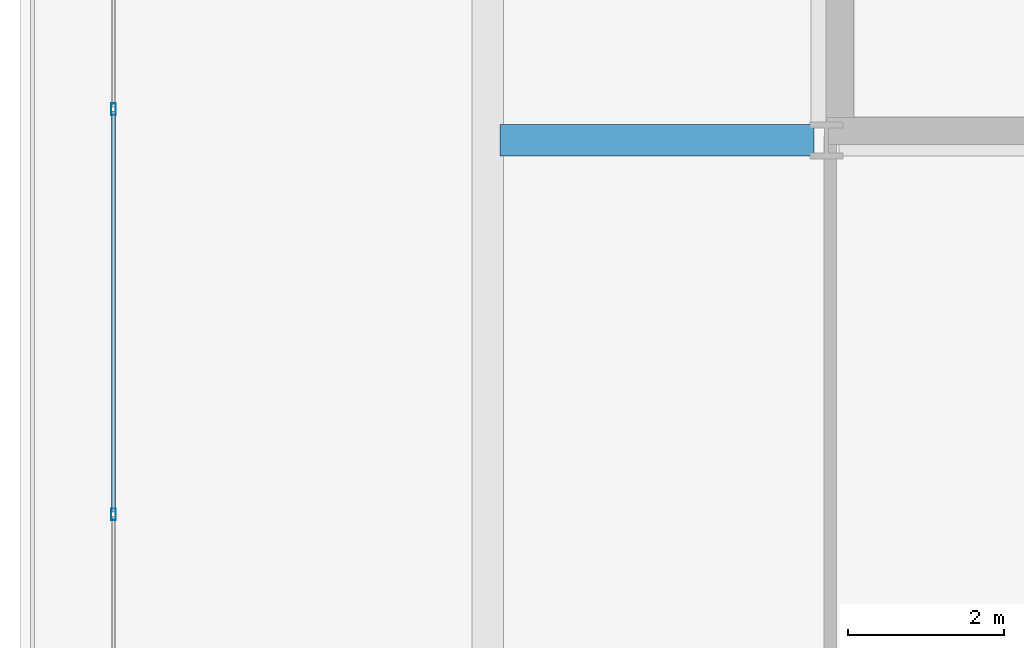
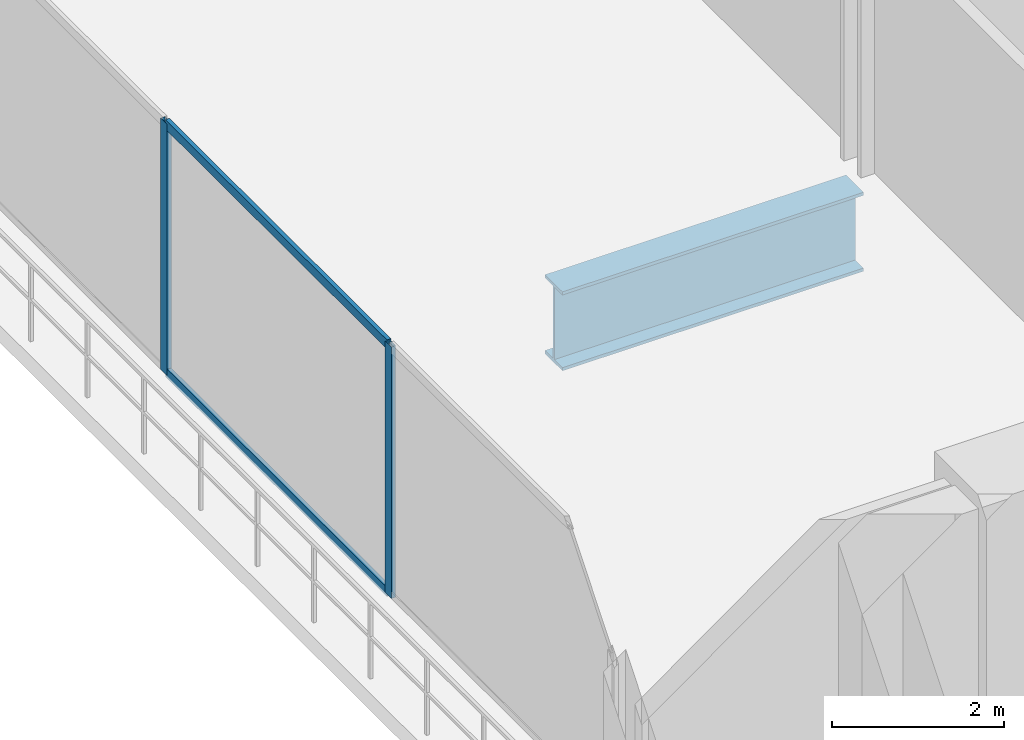
# One storey, part 8 of 26: 4 members, 1 beam, 1 element without a shape of its own.
"""IFC4 building model written with IfcOpenShell, lengths in metres."""

from ifc_helpers import new_model, si_unit, direction, frame, origin, origin_2d, place, context, subcontext, project, spatial, hollow_rectangle, i_section, extrude, material, layer, layer_set, material_profile, profile_set, type_object, element, aggregate, save


model = new_model("IFC4")

# Units and contexts
model_context = context("Model", 3, precision=1e-05, world=origin(), true_north=direction((0.0, 1.0)))
body_context = subcontext(model_context, "Body", "Model", "MODEL_VIEW")
ifc_project = project(units=[si_unit("LENGTHUNIT", "METRE"), si_unit("AREAUNIT", "SQUARE_METRE"), si_unit("VOLUMEUNIT", "CUBIC_METRE"), si_unit("PLANEANGLEUNIT", "RADIAN"), si_unit("MASSUNIT", "GRAM", prefix="KILO")], contexts=[model_context])

# Site, building, storey
site_placement = place(None, origin())
site = spatial("IfcSite", under=ifc_project, at=site_placement, CompositionType="ELEMENT")
building_placement = place(site_placement, origin())
building = spatial("IfcBuilding", under=site, at=building_placement, Name="Zuhayl Quay Hotel", CompositionType="ELEMENT")
storey_placement = place(building_placement, frame((0.0, 0.0, 301.050048828125)))
storey = spatial("IfcBuildingStorey", under=building, at=storey_placement, Name="Crown 2", CompositionType="ELEMENT", Elevation=301.050048828125)

# Beam
ifc_material_1 = material(Name="Steel ASTM A913 Grade 65", Category="steel")
ifc_material_profile_1 = material_profile(ifc_material_1, i_section(OverallWidth=0.404052734375, OverallDepth=1.117919921875, WebThickness=0.026123046875, FlangeThickness=0.044921875, at=origin_2d()), Name="W44X335")
ifc_profile_set_1 = profile_set([ifc_material_profile_1], Name="Steel ASTM A913 Grade 65")
beam_type = type_object("IfcBeamType", Name="BM_TG1_W44X335", PredefinedType="BEAM", material=ifc_profile_set_1)
beam_placement = place(storey_placement, frame((-13.639892578125, 25.10009765625, -0.799072265625), z_axis=(1.0, 0.0, 0.0), x_axis=(0.0, 1.0, 0.0)))
element("IfcBeam", 1, at=beam_placement, inside=storey, type_object=beam_type, Name="Crown 2 Floor Beam CR_EW_2_1_1", PredefinedType="BEAM", context=body_context, shape_type="SweptSolid", body=[
    extrude(i_section(OverallWidth=0.404052734375, OverallDepth=1.117919921875, WebThickness=0.026123046875, FlangeThickness=0.044921875, at=origin_2d()), origin(), (0.0, 0.0, 1.0), 4.02978515625),
])

# Curtain wall, members
ifc_material_2 = material(Name="Anodised Aluminium 6063-T6", Category="aluminium")
ifc_layer = layer(ifc_material_2, 0.159912109375, Name="Anodised Aluminium 6063-T6", Category="aluminium")
ifc_layer_set = layer_set([ifc_layer], Name="Anodised Aluminium 6063-T6")
curtain_wall_type = type_object("IfcCurtainWallType", Name="CW_SYS_CRN", PredefinedType="USERDEFINED", material=ifc_layer_set)
curtain_wall_placement = place(storey_placement, origin())
curtain_wall = element("IfcCurtainWall", 2, at=curtain_wall_placement, inside=storey, type_object=curtain_wall_type, Name="Crown 2 Curtain Wall ENV_CR2_E1_CW2", ObjectType="UNITISED CURTAIN WALL", PredefinedType="USERDEFINED")
ifc_material_3 = material(Name="Black-anodised aluminium 6063-T6", Category="aluminium")
ifc_material_profile_2 = material_profile(ifc_material_3, hollow_rectangle(XDim=0.06005859375, YDim=0.14990234375, WallThickness=0.00341796875, at=origin_2d()), Name="ALU150X60")
ifc_profile_set_2 = profile_set([ifc_material_profile_2], Name="Black-anodised aluminium 6063-T6")
member_type_1 = type_object("IfcMemberType", Name="MB_CW_MUL_150", PredefinedType="MULLION", material=ifc_profile_set_2)
member_1_placement = place(storey_placement, frame((-18.60009765625, 20.300048828125, 0.0), z_axis=(0.0, 0.0, 1.0), x_axis=(-1.0, 0.0, 0.0)))
member_1 = element("IfcMember", 3, at=member_1_placement, type_object=member_type_1, Name="CW-CRN mullion 2", PredefinedType="MULLION", context=body_context, shape_type="SweptSolid", body=[
    extrude(hollow_rectangle(XDim=0.06005859375, YDim=0.14990234375, WallThickness=0.00341796875, at=origin_2d()), origin(), (0.0, 0.0, 1.0), 3.56005859375),
])
member_2_placement = place(storey_placement, frame((-18.60009765625, 25.5, 0.0), z_axis=(0.0, 0.0, 1.0), x_axis=(-1.0, 0.0, 0.0)))
member_2 = element("IfcMember", 4, at=member_2_placement, type_object=member_type_1, Name="CW-CRN mullion 3", PredefinedType="MULLION", context=body_context, shape_type="SweptSolid", body=[
    extrude(hollow_rectangle(XDim=0.06005859375, YDim=0.14990234375, WallThickness=0.00341796875, at=origin_2d()), origin(), (0.0, 0.0, 1.0), 3.56005859375),
])
ifc_material_profile_3 = material_profile(ifc_material_3, hollow_rectangle(XDim=0.054931640625, YDim=0.1298828125, WallThickness=0.0029296875, at=origin_2d()), Name="ALU130X55")
ifc_profile_set_3 = profile_set([ifc_material_profile_3], Name="Black-anodised aluminium 6063-T6")
member_type_2 = type_object("IfcMemberType", Name="MB_CW_TRN_130", PredefinedType="USERDEFINED", material=ifc_profile_set_3)
member_3_placement = place(storey_placement, frame((-18.60009765625, 20.330078125, 0.02734375), z_axis=(0.0, 1.0, 0.0), x_axis=(-1.0, 0.0, 0.0)))
member_3 = element("IfcMember", 5, at=member_3_placement, type_object=member_type_2, Name="CW-CRN transom 2.1", ObjectType="TRANSOM", PredefinedType="USERDEFINED", context=body_context, shape_type="SweptSolid", body=[
    extrude(hollow_rectangle(XDim=0.054931640625, YDim=0.1298828125, WallThickness=0.0029296875, at=origin_2d()), origin(), (0.0, 0.0, 1.0), 5.139892578125),
])
member_4_placement = place(storey_placement, frame((-18.60009765625, 20.330078125, 3.532470703125), z_axis=(0.0, 1.0, 0.0), x_axis=(-1.0, 0.0, 0.0)))
member_4 = element("IfcMember", 6, at=member_4_placement, type_object=member_type_2, Name="CW-CRN transom 2.2", ObjectType="TRANSOM", PredefinedType="USERDEFINED", context=body_context, shape_type="SweptSolid", body=[
    extrude(hollow_rectangle(XDim=0.054931640625, YDim=0.1298828125, WallThickness=0.0029296875, at=origin_2d()), origin(), (0.0, 0.0, 1.0), 5.139892578125),
])
aggregate(curtain_wall, [member_1, member_2, member_3, member_4])

save(model, "model.ifc")
